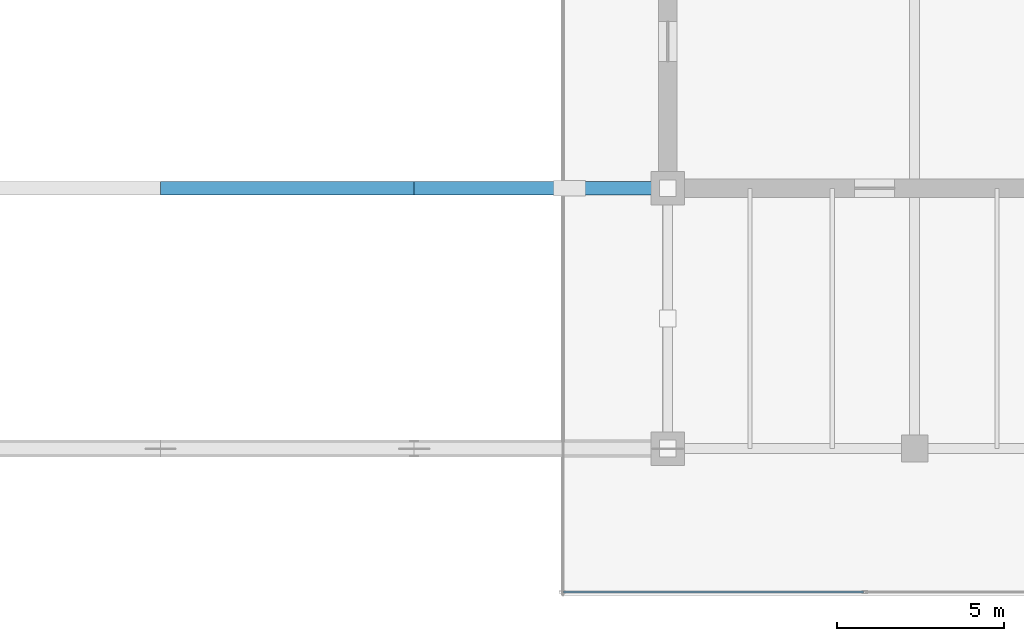
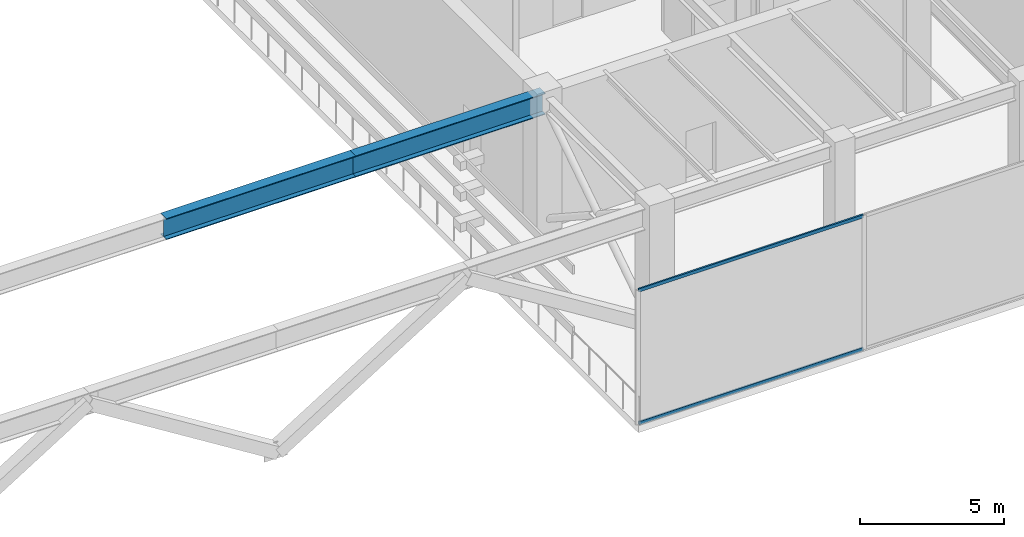
# One storey, part 9 of 30: 2 beams, 2 members, 1 element without a shape of its own.
"""IFC4 building model written with IfcOpenShell, lengths in metres."""

from ifc_helpers import new_model, si_unit, direction, frame, origin, origin_2d, place, context, subcontext, project, spatial, hollow_rectangle, i_section, extrude, source, transform, mapped, material, layer, layer_set, material_profile, profile_set, type_object, type_shapes, element, aggregate, save


model = new_model("IFC4")

# Units and contexts
model_context = context("Model", 3, precision=1e-05, world=origin(), true_north=direction((0.0, 1.0)))
body_context = subcontext(model_context, "Body", "Model", "MODEL_VIEW")
ifc_project = project(units=[si_unit("LENGTHUNIT", "METRE"), si_unit("AREAUNIT", "SQUARE_METRE"), si_unit("VOLUMEUNIT", "CUBIC_METRE"), si_unit("PLANEANGLEUNIT", "RADIAN"), si_unit("MASSUNIT", "GRAM", prefix="KILO")], contexts=[model_context])

# Site, building, storey
site_placement = place(None, origin())
site = spatial("IfcSite", under=ifc_project, at=site_placement, CompositionType="ELEMENT")
building_placement = place(site_placement, origin())
building = spatial("IfcBuilding", under=site, at=building_placement, Name="Haelvirn Gate Laboratories", CompositionType="ELEMENT")
storey_placement = place(building_placement, frame((0.0, 0.0, 291.60009765625)))
storey = spatial("IfcBuildingStorey", under=building, at=storey_placement, Name="L70", CompositionType="ELEMENT", Elevation=291.60009765625)

# Beams
ifc_material_1 = material(Name="Steel SM420", Category="steel")
ifc_material_profile_1 = material_profile(ifc_material_1, i_section(OverallWidth=0.39990234375, OverallDepth=0.89990234375, WebThickness=0.01904296875, FlangeThickness=0.031982421875, at=origin_2d()), Name="H-900x400x19x32")
ifc_profile_set_1 = profile_set([ifc_material_profile_1], Name="Steel SM420")
beam_type = type_object("IfcBeamType", Name="BM-TG-900", PredefinedType="BEAM", material=ifc_profile_set_1)
shared_shape_1 = source(origin(), body_context, "Body", "SweptSolid", [
    extrude(i_section(OverallWidth=0.39990234375, OverallDepth=0.89990234375, WebThickness=0.01904296875, FlangeThickness=0.031982421875, at=origin_2d()), origin(), (0.0, 0.0, 1.0), 7.60009765625),
])
type_shapes(beam_type, [shared_shape_1])
for number, where, z_axis, x_axis, name in (
    (1, (37.39990234375, 14.800048828125, 5.25), (1.0, 0.0, 0.0), (0.0, 1.0, 0.0), "L71 Arch Bridge Bottom Tie Chord Y14.8-3"),
    (2, (45.0, 14.800048828125, 5.25), (1.0, 0.0, 0.0), (0.0, 1.0, 0.0), "L71 Arch Bridge Bottom Tie Chord Y14.8-4"),
):
    element("IfcBeam", number, at=place(storey_placement, frame(where, z_axis=z_axis, x_axis=x_axis)), inside=storey, type_object=beam_type, Name=name, PredefinedType="BEAM", context=body_context, shape_type="MappedRepresentation", body=[
        mapped(shared_shape_1, transform((0.0, 0.0, 0.0), scale=1.0)),
    ])

# Curtain wall, members
ifc_material_2 = material(Name="Anodised bronze unitised aluminium & triple low-E glass", Category="aluminium")
ifc_layer = layer(ifc_material_2, 0.176025390625, Name="CW-SYS-4")
ifc_layer_set = layer_set([ifc_layer], Name="Anodised bronze unitised aluminium & triple low-E glass")
curtain_wall_type = type_object("IfcCurtainWallType", Name="CW-SYS-4", PredefinedType="NOTDEFINED", material=ifc_layer_set)
curtain_wall_placement = place(storey_placement, origin())
curtain_wall = element("IfcCurtainWall", 3, at=curtain_wall_placement, inside=storey, type_object=curtain_wall_type, Name="L70 Unitised Curtain Wall CW-L70-P1-E00-1", PredefinedType="NOTDEFINED")
ifc_material_3 = material(Name="Extruded aluminium 6063-T6 (anodised bronze)", Category="aluminium")
ifc_material_profile_2 = material_profile(ifc_material_3, hollow_rectangle(XDim=0.06494140625, YDim=0.139892578125, WallThickness=0.00390625, at=origin_2d()), Name="CWT-140x65x4")
ifc_profile_set_2 = profile_set([ifc_material_profile_2], Name="Extruded aluminium 6063-T6 (anodised bronze)")
member_type = type_object("IfcMemberType", Name="CWT-T140", PredefinedType="USERDEFINED", material=ifc_profile_set_2)
shared_shape_2 = source(origin(), body_context, "Body", "SweptSolid", [
    extrude(hollow_rectangle(XDim=0.06494140625, YDim=0.139892578125, WallThickness=0.00390625, at=origin_2d()), origin(), (0.0, 0.0, 1.0), 8.9951171875),
])
type_shapes(member_type, [shared_shape_2])
member_1_placement = place(storey_placement, frame((49.469970703125, 2.699951171875, 0.032470703125), z_axis=(1.0, 0.0, 0.0), x_axis=(0.0, 1.0, 0.0)))
member_1 = element("IfcMember", 4, at=member_1_placement, type_object=member_type, Name="CW4 transom 1.1", ObjectType="TRANSOM", PredefinedType="USERDEFINED", context=body_context, shape_type="MappedRepresentation", body=[
    mapped(shared_shape_2, transform((0.0, 0.0, 0.0), scale=1.0)),
])
member_2_placement = place(storey_placement, frame((49.469970703125, 2.699951171875, 5.66748046875), z_axis=(1.0, 0.0, 0.0), x_axis=(0.0, 1.0, 0.0)))
member_2 = element("IfcMember", 5, at=member_2_placement, type_object=member_type, Name="CW4 transom 1.2", ObjectType="TRANSOM", PredefinedType="USERDEFINED", context=body_context, shape_type="MappedRepresentation", body=[
    mapped(shared_shape_2, transform((0.0, 0.0, 0.0), scale=1.0)),
])
aggregate(curtain_wall, [member_1, member_2])

save(model, "model.ifc")
